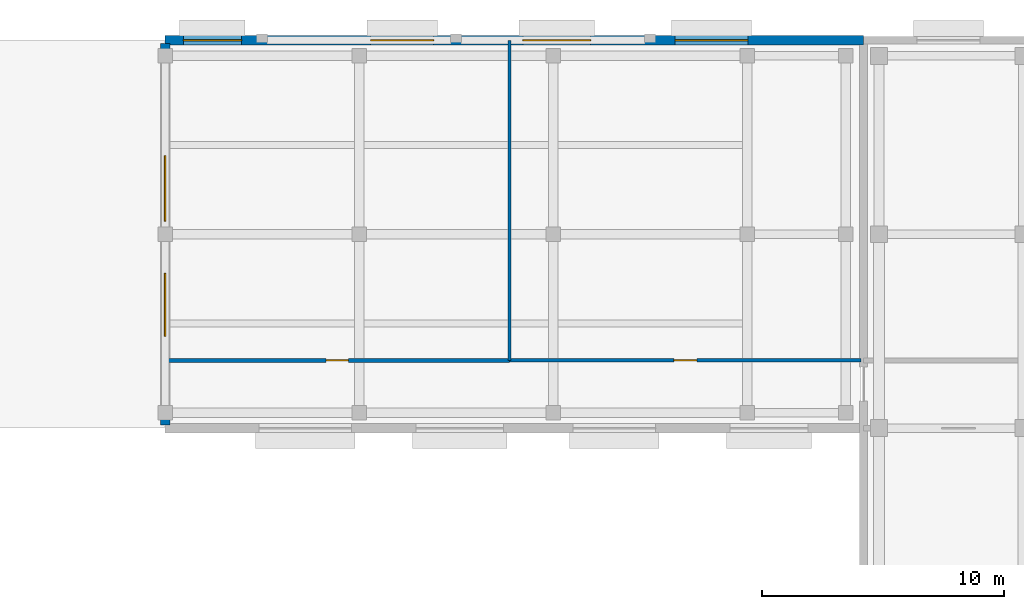
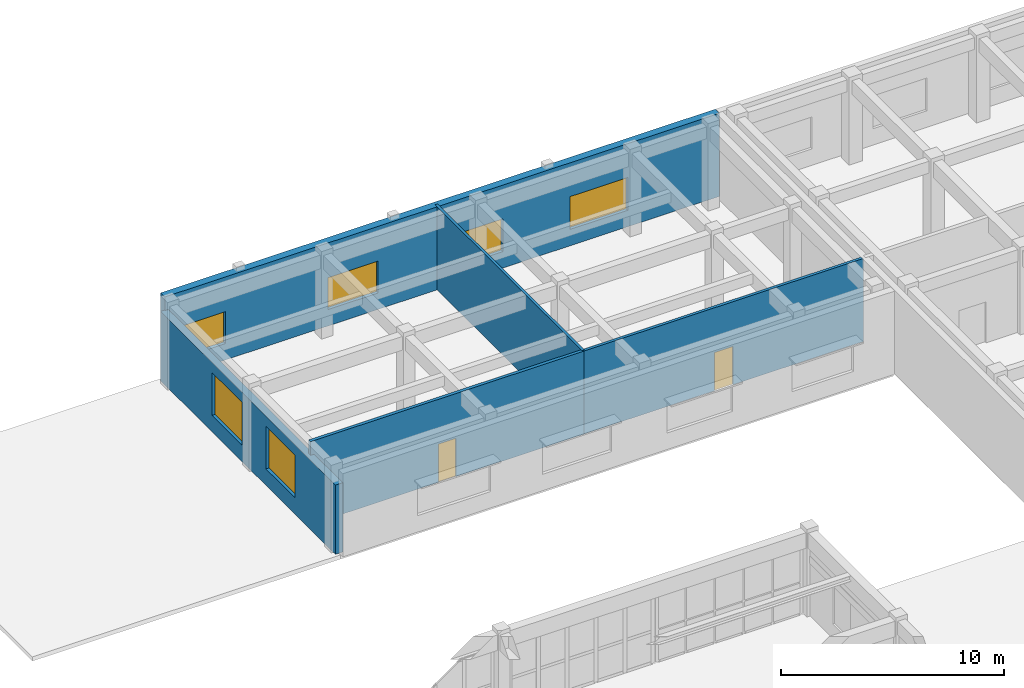
# One storey, part 55 of 76: 6 windows, 5 walls, 2 doors, 8 openings.
"""IFC4 building model written with IfcOpenShell, lengths in metres."""

from ifc_helpers import new_model, si_unit, direction, frame, frame_2d, origin, place, context, subcontext, project, spatial, rectangle, extrude, material, layer, layer_set, type_object, element, fill, save


model = new_model("IFC4")

# Units and contexts
model_context = context("Model", 3, precision=1e-05, world=origin(), true_north=direction((0.0, 1.0)))
body_context = subcontext(model_context, "Body", "Model", "MODEL_VIEW")
ifc_project = project(units=[si_unit("LENGTHUNIT", "METRE"), si_unit("AREAUNIT", "SQUARE_METRE"), si_unit("VOLUMEUNIT", "CUBIC_METRE"), si_unit("PLANEANGLEUNIT", "RADIAN"), si_unit("MASSUNIT", "GRAM", prefix="KILO")], contexts=[model_context])

# Site, building, storey
site_placement = place(None, origin())
site = spatial("IfcSite", under=ifc_project, at=site_placement, CompositionType="ELEMENT")
building_placement = place(site_placement, origin())
building = spatial("IfcBuilding", under=site, at=building_placement, Name="Cinchona Park Media Centre", CompositionType="ELEMENT")
storey_placement = place(building_placement, frame((0.0, 0.0, 15.60009765625)))
storey = spatial("IfcBuildingStorey", under=building, at=storey_placement, Name="L03", CompositionType="ELEMENT", Elevation=15.60009765625)

# Wall, openings, windows
ifc_material_1 = material(Name="Precast concrete C40/50", Category="concrete")
ifc_layer_1 = layer(ifc_material_1, 0.3798828125)
ifc_layer_set_1 = layer_set([ifc_layer_1], Name="Precast concrete C40/50")
wall_type_1 = type_object("IfcWallType", Name="WALL-W-EX01", PredefinedType="SOLIDWALL", material=ifc_layer_set_1)
wall_1_placement = place(storey_placement, frame((110.800048828125, 118.0, 0.0), z_axis=(0.0, 0.0, 1.0), x_axis=(1.0, 0.0, 0.0)))
wall_1 = element("IfcWall", 1, at=wall_1_placement, inside=storey, type_object=wall_type_1, Name="Exterior Wall W-EX01 V3 L03", PredefinedType="SOLIDWALL", context=body_context, shape_type="SweptSolid", body=[
    extrude(rectangle(XDim=28.794921875, YDim=0.3798828125, at=frame_2d((14.3974609375, 0.0))), origin(), (0.0, 0.0, 1.0), 4.554931640625),
])
opening_1_placement = place(wall_1_placement, frame((0.75, 0.0, 0.89990234375)))
opening_1 = element("IfcOpeningElement", 2, at=opening_1_placement, cuts=wall_1, Name="Opening WN29", PredefinedType="OPENING", context=body_context, shape_type="SweptSolid", body=[
    extrude(rectangle(XDim=2.39990234375, YDim=1.75, at=frame_2d((1.199951171875, 0.875))), frame((0.0, 0.199951171875, 0.0), z_axis=(0.0, -1.0, 0.0), x_axis=(1.0, 0.0, 0.0)), (0.0, 0.0, 1.0), 0.39990234375),
])
opening_2_placement = place(wall_1_placement, frame((8.47509765625, 0.0, 0.89990234375)))
opening_2 = element("IfcOpeningElement", 3, at=opening_2_placement, cuts=wall_1, Name="Opening WN30", PredefinedType="OPENING", context=body_context, shape_type="SweptSolid", body=[
    extrude(rectangle(XDim=2.60009765625, YDim=1.75, at=frame_2d((1.300048828125, 0.875))), frame((0.0, 0.199951171875, 0.0), z_axis=(0.0, -1.0, 0.0), x_axis=(1.0, 0.0, 0.0)), (0.0, 0.0, 1.0), 0.39990234375),
])
opening_3_placement = place(wall_1_placement, frame((14.75, 0.0, 0.89990234375)))
opening_3 = element("IfcOpeningElement", 4, at=opening_3_placement, cuts=wall_1, Name="Opening WN31", PredefinedType="OPENING", context=body_context, shape_type="SweptSolid", body=[
    extrude(rectangle(XDim=2.800048828125, YDim=1.800048828125, at=frame_2d((1.39990234375, 0.89990234375))), frame((0.0, 0.199951171875, 0.0), z_axis=(0.0, -1.0, 0.0), x_axis=(1.0, 0.0, 0.0)), (0.0, 0.0, 1.0), 0.39990234375),
])
opening_4_placement = place(wall_1_placement, frame((21.02490234375, 0.0, 0.89990234375)))
opening_4 = element("IfcOpeningElement", 5, at=opening_4_placement, cuts=wall_1, Name="Opening WN32", PredefinedType="OPENING", context=body_context, shape_type="SweptSolid", body=[
    extrude(rectangle(XDim=3.0, YDim=1.800048828125, at=frame_2d((1.5, 0.89990234375))), frame((0.0, 0.199951171875, 0.0), z_axis=(0.0, -1.0, 0.0), x_axis=(1.0, 0.0, 0.0)), (0.0, 0.0, 1.0), 0.39990234375),
])
ifc_material_2 = material(Name="Thermally Broken Aluminium Solar-Control Window", Category="aluminium")
window_type_1 = type_object("IfcWindowType", Name="WIN-WN29", PartitioningType="SINGLE_PANEL", PredefinedType="WINDOW", material=ifc_material_2)
window_1_placement = place(opening_1_placement, origin())
window_1 = element("IfcWindow", 6, at=window_1_placement, inside=storey, type_object=window_type_1, Name="Window WN29 L03", OverallHeight=1.75, OverallWidth=2.39990234375, PartitioningType="SINGLE_PANEL", PredefinedType="WINDOW", context=body_context, shape_type="SweptSolid", body=[
    extrude(rectangle(XDim=2.39990234375, YDim=1.75, at=frame_2d((1.199951171875, 0.875))), frame((0.0, 0.030029296875, 0.0), z_axis=(0.0, -1.0, 0.0), x_axis=(1.0, 0.0, 0.0)), (0.0, 0.0, 1.0), 0.06005859375),
])
fill(opening_1, window_1)
ifc_material_3 = material(Name="Thermally Broken Aluminium Solar-Control Window", Category="aluminium")
window_type_2 = type_object("IfcWindowType", Name="WIN-WN30", PartitioningType="SINGLE_PANEL", PredefinedType="WINDOW", material=ifc_material_3)
window_2_placement = place(opening_2_placement, origin())
window_2 = element("IfcWindow", 7, at=window_2_placement, inside=storey, type_object=window_type_2, Name="Window WN30 L03", OverallHeight=1.75, OverallWidth=2.60009765625, PartitioningType="SINGLE_PANEL", PredefinedType="WINDOW", context=body_context, shape_type="SweptSolid", body=[
    extrude(rectangle(XDim=2.60009765625, YDim=1.75, at=frame_2d((1.300048828125, 0.875))), frame((0.0, 0.030029296875, 0.0), z_axis=(0.0, -1.0, 0.0), x_axis=(1.0, 0.0, 0.0)), (0.0, 0.0, 1.0), 0.06005859375),
])
fill(opening_2, window_2)
ifc_material_4 = material(Name="Thermally Broken Aluminium Solar-Control Window", Category="aluminium")
window_type_3 = type_object("IfcWindowType", Name="WIN-WN31", PartitioningType="SINGLE_PANEL", PredefinedType="WINDOW", material=ifc_material_4)
window_3_placement = place(opening_3_placement, origin())
window_3 = element("IfcWindow", 8, at=window_3_placement, inside=storey, type_object=window_type_3, Name="Window WN31 L03", OverallHeight=1.800048828125, OverallWidth=2.800048828125, PartitioningType="SINGLE_PANEL", PredefinedType="WINDOW", context=body_context, shape_type="SweptSolid", body=[
    extrude(rectangle(XDim=2.800048828125, YDim=1.800048828125, at=frame_2d((1.39990234375, 0.89990234375))), frame((0.0, 0.030029296875, 0.0), z_axis=(0.0, -1.0, 0.0), x_axis=(1.0, 0.0, 0.0)), (0.0, 0.0, 1.0), 0.06005859375),
])
fill(opening_3, window_3)
ifc_material_5 = material(Name="Thermally Broken Aluminium Solar-Control Window", Category="aluminium")
window_type_4 = type_object("IfcWindowType", Name="WIN-WN32", PartitioningType="SINGLE_PANEL", PredefinedType="WINDOW", material=ifc_material_5)
window_4_placement = place(opening_4_placement, origin())
window_4 = element("IfcWindow", 9, at=window_4_placement, inside=storey, type_object=window_type_4, Name="Window WN32 L03", OverallHeight=1.800048828125, OverallWidth=3.0, PartitioningType="SINGLE_PANEL", PredefinedType="WINDOW", context=body_context, shape_type="SweptSolid", body=[
    extrude(rectangle(XDim=3.0, YDim=1.800048828125, at=frame_2d((1.5, 0.89990234375))), frame((0.0, 0.030029296875, 0.0), z_axis=(0.0, -1.0, 0.0), x_axis=(1.0, 0.0, 0.0)), (0.0, 0.0, 1.0), 0.06005859375),
])
fill(opening_4, window_4)

wall_2_placement = place(storey_placement, frame((110.800048828125, 102.139892578125, 0.0), z_axis=(0.0, 0.0, 1.0), x_axis=(0.0, 1.0, 0.0)))
wall_2 = element("IfcWall", 10, at=wall_2_placement, inside=storey, type_object=wall_type_1, Name="Exterior Wall W-EX01 V3 L03", PredefinedType="SOLIDWALL", context=body_context, shape_type="SweptSolid", body=[
    extrude(rectangle(XDim=15.72021484375, YDim=0.3798828125, at=frame_2d((7.860107421875, 0.0))), origin(), (0.0, 0.0, 1.0), 3.804931640625),
])
opening_5_placement = place(wall_2_placement, frame((3.64990234375, 0.0, 0.89990234375)))
opening_5 = element("IfcOpeningElement", 11, at=opening_5_placement, cuts=wall_2, Name="Opening WN13", PredefinedType="OPENING", context=body_context, shape_type="SweptSolid", body=[
    extrude(rectangle(XDim=2.60009765625, YDim=2.35009765625, at=frame_2d((1.300048828125, 1.175048828125))), frame((0.0, 0.199951171875, 0.0), z_axis=(0.0, -1.0, 0.0), x_axis=(1.0, 0.0, 0.0)), (0.0, 0.0, 1.0), 0.39990234375),
])
opening_6_placement = place(wall_2_placement, frame((8.39990234375, 0.0, 0.89990234375)))
opening_6 = element("IfcOpeningElement", 12, at=opening_6_placement, cuts=wall_2, Name="Opening WN14", PredefinedType="OPENING", context=body_context, shape_type="SweptSolid", body=[
    extrude(rectangle(XDim=2.699951171875, YDim=2.35009765625, at=frame_2d((1.35009765625, 1.175048828125))), frame((0.0, 0.199951171875, 0.0), z_axis=(0.0, -1.0, 0.0), x_axis=(1.0, 0.0, 0.0)), (0.0, 0.0, 1.0), 0.39990234375),
])
ifc_material_6 = material(Name="Thermally Broken Aluminium Solar-Control Window", Category="aluminium")
window_type_5 = type_object("IfcWindowType", Name="WIN-WN13", PartitioningType="SINGLE_PANEL", PredefinedType="WINDOW", material=ifc_material_6)
window_5_placement = place(opening_5_placement, origin())
window_5 = element("IfcWindow", 13, at=window_5_placement, inside=storey, type_object=window_type_5, Name="Window WN13 L03", OverallHeight=2.35009765625, OverallWidth=2.60009765625, PartitioningType="SINGLE_PANEL", PredefinedType="WINDOW", context=body_context, shape_type="SweptSolid", body=[
    extrude(rectangle(XDim=2.60009765625, YDim=2.35009765625, at=frame_2d((1.300048828125, 1.175048828125))), frame((0.0, 0.030029296875, 0.0), z_axis=(0.0, -1.0, 0.0), x_axis=(1.0, 0.0, 0.0)), (0.0, 0.0, 1.0), 0.06005859375),
])
fill(opening_5, window_5)
ifc_material_7 = material(Name="Thermally Broken Aluminium Solar-Control Window", Category="aluminium")
window_type_6 = type_object("IfcWindowType", Name="WIN-WN14", PartitioningType="SINGLE_PANEL", PredefinedType="WINDOW", material=ifc_material_7)
window_6_placement = place(opening_6_placement, origin())
window_6 = element("IfcWindow", 14, at=window_6_placement, inside=storey, type_object=window_type_6, Name="Window WN14 L03", OverallHeight=2.35009765625, OverallWidth=2.699951171875, PartitioningType="SINGLE_PANEL", PredefinedType="WINDOW", context=body_context, shape_type="SweptSolid", body=[
    extrude(rectangle(XDim=2.699951171875, YDim=2.35009765625, at=frame_2d((1.35009765625, 1.175048828125))), frame((0.0, 0.030029296875, 0.0), z_axis=(0.0, -1.0, 0.0), x_axis=(1.0, 0.0, 0.0)), (0.0, 0.0, 1.0), 0.06005859375),
])
fill(opening_6, window_6)

# Wall
ifc_material_8 = material(Name="Gypsum Metal-Stud Partition", Category="gypsum")
ifc_layer_2 = layer(ifc_material_8, 0.135009765625)
ifc_layer_set_2 = layer_set([ifc_layer_2], Name="Gypsum Metal-Stud Partition")
wall_type_2 = type_object("IfcWallType", Name="WALL-W-PT135", PredefinedType="PARTITIONING", material=ifc_layer_set_2)
wall_3_placement = place(storey_placement, frame((125.0, 118.0, 0.0), z_axis=(0.0, 0.0, 1.0), x_axis=(0.0, -1.0, 0.0)))
element("IfcWall", 15, at=wall_3_placement, inside=storey, type_object=wall_type_2, Name="Interior Wall W-PT135 L03", PredefinedType="PARTITIONING", context=body_context, shape_type="SweptSolid", body=[
    extrude(rectangle(XDim=13.199951171875, YDim=0.135009765625, at=frame_2d((6.60009765625, 0.0))), origin(), (0.0, 0.0, 1.0), 4.554931640625),
])

# Wall, opening, door
ifc_material_9 = material(Name="Fire-Rated Gypsum Stud Partition", Category="gypsum")
ifc_layer_3 = layer(ifc_material_9, 0.14990234375)
ifc_layer_set_3 = layer_set([ifc_layer_3], Name="Fire-Rated Gypsum Stud Partition")
wall_type_3 = type_object("IfcWallType", Name="WALL-W-PT150", PredefinedType="PARTITIONING", material=ifc_layer_set_3)
wall_4_placement = place(storey_placement, frame((125.0, 104.800048828125, 0.0), z_axis=(0.0, 0.0, 1.0), x_axis=(1.0, 0.0, 0.0)))
wall_4 = element("IfcWall", 16, at=wall_4_placement, inside=storey, type_object=wall_type_3, Name="Interior Wall W-PT150 L03", PredefinedType="PARTITIONING", context=body_context, shape_type="SweptSolid", body=[
    extrude(rectangle(XDim=14.5, YDim=0.14990234375, at=frame_2d((7.25, 0.0))), origin(), (0.0, 0.0, 1.0), 4.554931640625),
])
opening_7_placement = place(wall_4_placement, frame((6.77490234375, 0.0, 0.0)))
opening_7 = element("IfcOpeningElement", 17, at=opening_7_placement, cuts=wall_4, Name="Opening D324", PredefinedType="OPENING", context=body_context, shape_type="SweptSolid", body=[
    extrude(rectangle(XDim=0.949951171875, YDim=2.10009765625, at=frame_2d((0.47509765625, 1.050048828125))), frame((0.0, 0.0849609375, 0.0), z_axis=(0.0, -1.0, 0.0), x_axis=(1.0, 0.0, 0.0)), (0.0, 0.0, 1.0), 0.169921875),
])
ifc_material_10 = material(Name="Solid-Core Timber Acoustic Door", Category="wood")
door_type_1 = type_object("IfcDoorType", Name="DOOR-DT02", OperationType="NOTDEFINED", PredefinedType="DOOR", material=ifc_material_10)
door_1_placement = place(opening_7_placement, origin())
door_1 = element("IfcDoor", 18, at=door_1_placement, inside=storey, type_object=door_type_1, Name="Interior Door D324", OperationType="SINGLE_SWING_RIGHT", OverallHeight=2.10009765625, OverallWidth=0.949951171875, PredefinedType="DOOR", context=body_context, shape_type="SweptSolid", body=[
    extrude(rectangle(XDim=0.949951171875, YDim=2.10009765625, at=frame_2d((0.47509765625, 1.050048828125))), frame((0.0, 0.02490234375, 0.0), z_axis=(0.0, -1.0, 0.0), x_axis=(1.0, 0.0, 0.0)), (0.0, 0.0, 1.0), 0.050048828125),
])
fill(opening_7, door_1)

ifc_material_11 = material(Name="Fire-Rated Gypsum Stud Partition", Category="gypsum")
ifc_layer_4 = layer(ifc_material_11, 0.1650390625)
ifc_layer_set_4 = layer_set([ifc_layer_4], Name="Fire-Rated Gypsum Stud Partition")
wall_type_4 = type_object("IfcWallType", Name="WALL-W-PT165", PredefinedType="PARTITIONING", material=ifc_layer_set_4)
wall_5_placement = place(storey_placement, frame((110.800048828125, 104.800048828125, 0.0), z_axis=(0.0, 0.0, 1.0), x_axis=(1.0, 0.0, 0.0)))
wall_5 = element("IfcWall", 19, at=wall_5_placement, inside=storey, type_object=wall_type_4, Name="Interior Wall W-PT165 L03", PredefinedType="PARTITIONING", context=body_context, shape_type="SweptSolid", body=[
    extrude(rectangle(XDim=14.199951171875, YDim=0.1650390625, at=frame_2d((7.10009765625, 0.0))), origin(), (0.0, 0.0, 1.0), 4.554931640625),
])
opening_8_placement = place(wall_5_placement, frame((6.639892578125, 0.0, 0.0)))
opening_8 = element("IfcOpeningElement", 20, at=opening_8_placement, cuts=wall_5, Name="Opening D323", PredefinedType="OPENING", context=body_context, shape_type="SweptSolid", body=[
    extrude(rectangle(XDim=0.919921875, YDim=2.10009765625, at=frame_2d((0.4599609375, 1.050048828125))), frame((0.0, 0.092529296875, 0.0), z_axis=(0.0, -1.0, 0.0), x_axis=(1.0, 0.0, 0.0)), (0.0, 0.0, 1.0), 0.18505859375),
])
ifc_material_12 = material(Name="Solid-Core Timber Acoustic Door", Category="wood")
door_type_2 = type_object("IfcDoorType", Name="DOOR-DT01", OperationType="NOTDEFINED", PredefinedType="DOOR", material=ifc_material_12)
door_2_placement = place(opening_8_placement, origin())
door_2 = element("IfcDoor", 21, at=door_2_placement, inside=storey, type_object=door_type_2, Name="Interior Door D323", OperationType="SINGLE_SWING_LEFT", OverallHeight=2.10009765625, OverallWidth=0.919921875, PredefinedType="DOOR", context=body_context, shape_type="SweptSolid", body=[
    extrude(rectangle(XDim=0.919921875, YDim=2.10009765625, at=frame_2d((0.4599609375, 1.050048828125))), frame((0.0, 0.02490234375, 0.0), z_axis=(0.0, -1.0, 0.0), x_axis=(1.0, 0.0, 0.0)), (0.0, 0.0, 1.0), 0.050048828125),
])
fill(opening_8, door_2)

save(model, "model.ifc")
